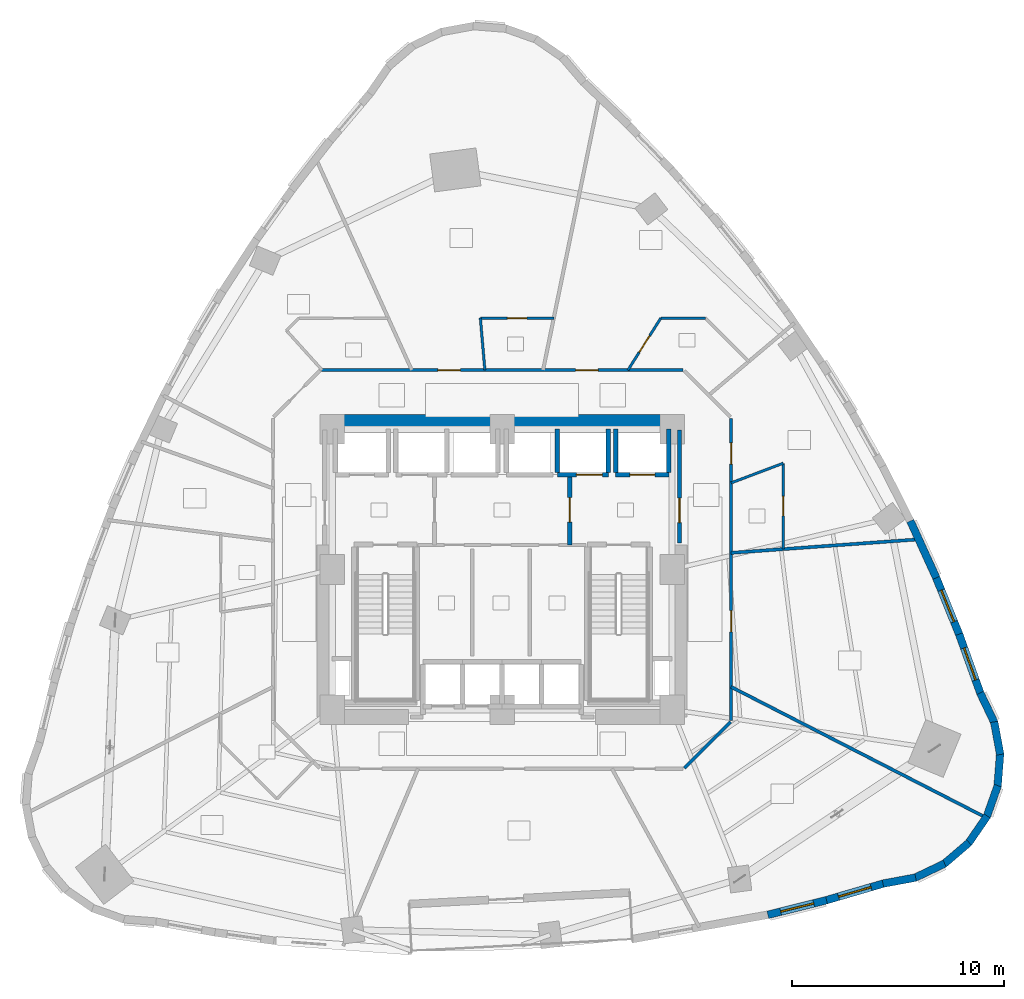
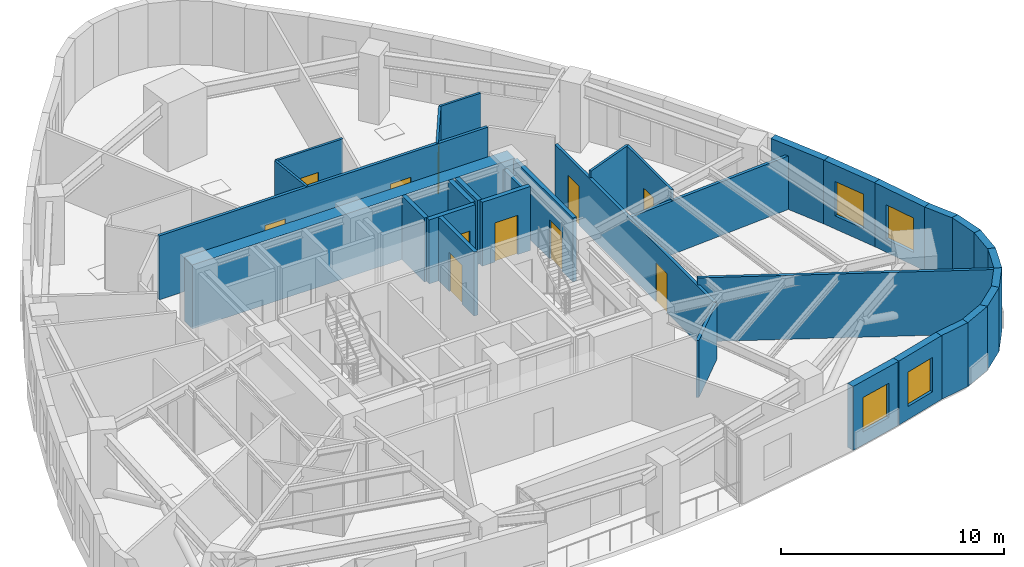
# One storey, part 7 of 11: 33 walls, 11 doors, 4 windows, 15 openings.
"""IFC4 building model written with IfcOpenShell, lengths in metres."""

from ifc_helpers import new_model, si_unit, direction, frame, frame_2d, origin, place, context, subcontext, project, spatial, rectangle, extrude, material, layer, layer_set, type_object, element, fill, save


model = new_model("IFC4")

# Units and contexts
model_context = context("Model", 3, precision=1e-05, world=origin(), true_north=direction((0.0, 1.0)))
body_context = subcontext(model_context, "Body", "Model", "MODEL_VIEW")
ifc_project = project(units=[si_unit("LENGTHUNIT", "METRE"), si_unit("AREAUNIT", "SQUARE_METRE"), si_unit("VOLUMEUNIT", "CUBIC_METRE"), si_unit("PLANEANGLEUNIT", "RADIAN"), si_unit("MASSUNIT", "GRAM", prefix="KILO")], contexts=[model_context])

# Site, building, storey
site_placement = place(None, origin())
site = spatial("IfcSite", under=ifc_project, at=site_placement, CompositionType="ELEMENT")
building_placement = place(site_placement, origin())
building = spatial("IfcBuilding", under=site, at=building_placement, Name="Ndelora Gate Hotel", CompositionType="ELEMENT")
storey_placement = place(building_placement, frame((0.0, 0.0, 49.25)))
storey = spatial("IfcBuildingStorey", under=building, at=storey_placement, Name="L11", CompositionType="ELEMENT", Elevation=49.25)

# Wall, opening, window
ifc_material_1 = material(Name="Clay Brick Masonry", Category="masonry")
ifc_layer_1 = layer(ifc_material_1, 0.360107421875)
ifc_layer_set_1 = layer_set([ifc_layer_1], Name="Clay Brick Masonry")
wall_type_1 = type_object("IfcWallType", Name="WL-BRICK-360", PredefinedType="SOLIDWALL", material=ifc_layer_set_1)
wall_1_placement = place(storey_placement, frame((15.269775390625, -15.569091796875, 0.0), z_axis=(0.0, 0.0, 1.0), x_axis=(-0.970177808132, -0.242394349375, 0.0)))
wall_1 = element("IfcWall", 1, at=wall_1_placement, inside=storey, type_object=wall_type_1, Name="L11 Tower Brick Pier-and-Spandrel Wall TWR-37", PredefinedType="SOLIDWALL", context=body_context, shape_type="SweptSolid", body=[
    extrude(rectangle(XDim=2.846435546875, YDim=0.360107421875, at=frame_2d((1.42333984375, 0.0))), origin(), (0.0, 0.0, 1.0), 3.5),
])
opening_1_placement = place(wall_1_placement, frame((0.623291015625, 0.0, 0.719970703125)))
opening_1 = element("IfcOpeningElement", 2, at=opening_1_placement, cuts=wall_1, Name="Opening W03", PredefinedType="OPENING", context=body_context, shape_type="SweptSolid", body=[
    extrude(rectangle(XDim=1.60009765625, YDim=1.8798828125, at=frame_2d((0.800048828125, 0.93994140625))), frame((0.0, 0.18994140625, 0.0), z_axis=(0.0, -1.0, 0.0), x_axis=(1.0, 0.0, 0.0)), (0.0, 0.0, 1.0), 0.380126953125),
])
ifc_material_2 = material(Name="Insulated Low-E Double Glazing in Bronze Aluminium Frame", Category="aluminium")
window_type_1 = type_object("IfcWindowType", Name="WN-CORN-2100", PartitioningType="SINGLE_PANEL", PredefinedType="WINDOW", material=ifc_material_2)
window_1_placement = place(opening_1_placement, origin())
window_1 = element("IfcWindow", 3, at=window_1_placement, inside=storey, type_object=window_type_1, Name="L11 Deep-Set Brick-Pier Window W03", OverallHeight=1.8798828125, OverallWidth=1.60009765625, PartitioningType="SINGLE_PANEL", PredefinedType="WINDOW", context=body_context, shape_type="SweptSolid", body=[
    extrude(rectangle(XDim=1.60009765625, YDim=1.8798828125, at=frame_2d((0.800048828125, 0.93994140625))), frame((0.0, 0.030029296875, 0.0), z_axis=(0.0, -1.0, 0.0), x_axis=(1.0, 0.0, 0.0)), (0.0, 0.0, 1.0), 0.06005859375),
])
fill(opening_1, window_1)

wall_2_placement = place(storey_placement, frame((17.9765625, -14.777587890625, 0.0), z_axis=(0.0, 0.0, 1.0), x_axis=(-0.959918981308, -0.280277629013, 0.0)))
wall_2 = element("IfcWall", 4, at=wall_2_placement, inside=storey, type_object=wall_type_1, Name="L11 Tower Brick Pier-and-Spandrel Wall TWR-38", PredefinedType="SOLIDWALL", context=body_context, shape_type="SweptSolid", body=[
    extrude(rectangle(XDim=2.8701171875, YDim=0.360107421875, at=frame_2d((1.43505859375, 0.0))), origin(), (0.0, 0.0, 1.0), 3.5),
])
opening_2_placement = place(wall_2_placement, frame((0.635009765625, 0.0, 0.719970703125)))
opening_2 = element("IfcOpeningElement", 5, at=opening_2_placement, cuts=wall_2, Name="Opening W01", PredefinedType="OPENING", context=body_context, shape_type="SweptSolid", body=[
    extrude(rectangle(XDim=1.60009765625, YDim=1.8798828125, at=frame_2d((0.800048828125, 0.93994140625))), frame((0.0, 0.18994140625, 0.0), z_axis=(0.0, -1.0, 0.0), x_axis=(1.0, 0.0, 0.0)), (0.0, 0.0, 1.0), 0.380126953125),
])
window_type_2 = type_object("IfcWindowType", Name="WN-DEEP-1600", PartitioningType="SINGLE_PANEL", PredefinedType="WINDOW", material=ifc_material_2)
window_2_placement = place(opening_2_placement, origin())
window_2 = element("IfcWindow", 6, at=window_2_placement, inside=storey, type_object=window_type_2, Name="L11 Deep-Set Brick-Pier Window W01", OverallHeight=1.8798828125, OverallWidth=1.60009765625, PartitioningType="SINGLE_PANEL", PredefinedType="WINDOW", context=body_context, shape_type="SweptSolid", body=[
    extrude(rectangle(XDim=1.60009765625, YDim=1.8798828125, at=frame_2d((0.800048828125, 0.93994140625))), frame((0.0, 0.030029296875, 0.0), z_axis=(0.0, -1.0, 0.0), x_axis=(1.0, 0.0, 0.0)), (0.0, 0.0, 1.0), 0.06005859375),
])
fill(opening_2, window_2)

# Walls
for number, where, z_axis, x_axis, name in (
    (7, (19.4658203125, -14.504150390625, 0.0), (0.0, 0.0, 1.0), (-0.983239538779, -0.182318428527, 0.0), "L11 Tower Brick Pier-and-Spandrel Wall TWR-39"),
    (8, (20.830322265625, -13.84619140625, 0.0), (0.0, 0.0, 1.0), (-0.902577552294, -0.430527307026, 0.0), "L11 Tower Brick Pier-and-Spandrel Wall TWR-40"),
    (9, (21.978271484375, -12.857421875, 0.0), (0.0, 0.0, 1.0), (-0.760489297029, -0.649350467086, 0.0), "L11 Tower Brick Pier-and-Spandrel Wall TWR-41"),
):
    element("IfcWall", number, at=place(storey_placement, frame(where, z_axis=z_axis, x_axis=x_axis)), inside=storey, type_object=wall_type_1, Name=name, PredefinedType="SOLIDWALL", context=body_context, shape_type="SweptSolid", body=[
        extrude(rectangle(XDim=1.56396484375, YDim=0.360107421875, at=frame_2d((0.781982421875, 0.0))), origin(), (0.0, 0.0, 1.0), 3.5),
    ])
for number, where, z_axis, x_axis, name in (
    (10, (22.8310546875, -11.60498046875, 0.0), (0.0, 0.0, 1.0), (-0.56642283125, -0.824114783412, 0.0), "L11 Tower Brick Pier-and-Spandrel Wall TWR-42"),
    (11, (23.33056640625, -10.1748046875, 0.0), (0.0, 0.0, 1.0), (-0.333685345648, -0.942684512496, 0.0), "L11 Tower Brick Pier-and-Spandrel Wall TWR-43"),
    (12, (23.443115234375, -8.6640625, 0.0), (0.0, 0.0, 1.0), (-0.078510627557, -0.99691327675, 0.0), "L11 Tower Brick Pier-and-Spandrel Wall TWR-44"),
):
    element("IfcWall", number, at=place(storey_placement, frame(where, z_axis=z_axis, x_axis=x_axis)), inside=storey, type_object=wall_type_1, Name=name, PredefinedType="SOLIDWALL", context=body_context, shape_type="SweptSolid", body=[
        extrude(rectangle(XDim=1.564208984375, YDim=0.360107421875, at=frame_2d((0.7822265625, 0.0))), origin(), (0.0, 0.0, 1.0), 3.5),
    ])
wall_3_placement = place(storey_placement, frame((23.160400390625, -7.17578125, 0.0), z_axis=(0.0, 0.0, 1.0), x_axis=(0.182318428527, -0.983239538779, 0.0)))
element("IfcWall", 13, at=wall_3_placement, inside=storey, type_object=wall_type_1, Name="L11 Tower Brick Pier-and-Spandrel Wall TWR-45", PredefinedType="SOLIDWALL", context=body_context, shape_type="SweptSolid", body=[
    extrude(rectangle(XDim=1.56396484375, YDim=0.360107421875, at=frame_2d((0.781982421875, 0.0))), origin(), (0.0, 0.0, 1.0), 3.5),
])
wall_4_placement = place(storey_placement, frame((22.50244140625, -5.81103515625, 0.0), z_axis=(0.0, 0.0, 1.0), x_axis=(0.430466656099, -0.902606480138, 0.0)))
element("IfcWall", 14, at=wall_4_placement, inside=storey, type_object=wall_type_1, Name="L11 Tower Brick Pier-and-Spandrel Wall TWR-46", PredefinedType="SOLIDWALL", context=body_context, shape_type="SweptSolid", body=[
    extrude(rectangle(XDim=1.564208984375, YDim=0.360107421875, at=frame_2d((0.7822265625, 0.0))), origin(), (0.0, 0.0, 1.0), 3.5),
])

# Wall, opening, window
wall_5_placement = place(storey_placement, frame((21.511474609375, -3.04638671875, 0.0), z_axis=(0.0, 0.0, 1.0), x_axis=(0.338236051909, -0.941061301504, 0.0)))
wall_5 = element("IfcWall", 15, at=wall_5_placement, inside=storey, type_object=wall_type_1, Name="L11 Tower Brick Pier-and-Spandrel Wall TWR-47", PredefinedType="SOLIDWALL", context=body_context, shape_type="SweptSolid", body=[
    extrude(rectangle(XDim=2.98681640625, YDim=0.360107421875, at=frame_2d((1.493408203125, 0.0))), origin(), (0.0, 0.0, 1.0), 3.5),
])
opening_3_placement = place(wall_5_placement, frame((0.693603515625, 0.0, 0.719970703125)))
opening_3 = element("IfcOpeningElement", 16, at=opening_3_placement, cuts=wall_5, Name="Opening W01", PredefinedType="OPENING", context=body_context, shape_type="SweptSolid", body=[
    extrude(rectangle(XDim=1.60009765625, YDim=1.8798828125, at=frame_2d((0.800048828125, 0.93994140625))), frame((0.0, 0.18994140625, 0.0), z_axis=(0.0, -1.0, 0.0), x_axis=(1.0, 0.0, 0.0)), (0.0, 0.0, 1.0), 0.380126953125),
])
window_3_placement = place(opening_3_placement, origin())
window_3 = element("IfcWindow", 17, at=window_3_placement, inside=storey, type_object=window_type_2, Name="L11 Deep-Set Brick-Pier Window W01", OverallHeight=1.8798828125, OverallWidth=1.60009765625, PartitioningType="SINGLE_PANEL", PredefinedType="WINDOW", context=body_context, shape_type="SweptSolid", body=[
    extrude(rectangle(XDim=1.60009765625, YDim=1.8798828125, at=frame_2d((0.800048828125, 0.93994140625))), frame((0.0, 0.030029296875, 0.0), z_axis=(0.0, -1.0, 0.0), x_axis=(1.0, 0.0, 0.0)), (0.0, 0.0, 1.0), 0.06005859375),
])
fill(opening_3, window_3)

wall_6_placement = place(storey_placement, frame((20.41455078125, -0.349365234375, 0.0), z_axis=(0.0, 0.0, 1.0), x_axis=(0.376416849552, -0.926450406322, 0.0)))
wall_6 = element("IfcWall", 18, at=wall_6_placement, inside=storey, type_object=wall_type_1, Name="L11 Tower Brick Pier-and-Spandrel Wall TWR-48", PredefinedType="SOLIDWALL", context=body_context, shape_type="SweptSolid", body=[
    extrude(rectangle(XDim=2.96142578125, YDim=0.360107421875, at=frame_2d((1.480712890625, 0.0))), origin(), (0.0, 0.0, 1.0), 3.5),
])
opening_4_placement = place(wall_6_placement, frame((0.6806640625, 0.0, 0.719970703125)))
opening_4 = element("IfcOpeningElement", 19, at=opening_4_placement, cuts=wall_6, Name="Opening W01", PredefinedType="OPENING", context=body_context, shape_type="SweptSolid", body=[
    extrude(rectangle(XDim=1.60009765625, YDim=1.8798828125, at=frame_2d((0.800048828125, 0.93994140625))), frame((0.0, 0.18994140625, 0.0), z_axis=(0.0, -1.0, 0.0), x_axis=(1.0, 0.0, 0.0)), (0.0, 0.0, 1.0), 0.380126953125),
])
window_4_placement = place(opening_4_placement, origin())
window_4 = element("IfcWindow", 20, at=window_4_placement, inside=storey, type_object=window_type_2, Name="L11 Deep-Set Brick-Pier Window W01", OverallHeight=1.8798828125, OverallWidth=1.60009765625, PartitioningType="SINGLE_PANEL", PredefinedType="WINDOW", context=body_context, shape_type="SweptSolid", body=[
    extrude(rectangle(XDim=1.60009765625, YDim=1.8798828125, at=frame_2d((0.800048828125, 0.93994140625))), frame((0.0, 0.030029296875, 0.0), z_axis=(0.0, -1.0, 0.0), x_axis=(1.0, 0.0, 0.0)), (0.0, 0.0, 1.0), 0.06005859375),
])
fill(opening_4, window_4)

# Walls
wall_7_placement = place(storey_placement, frame((19.215087890625, 2.281005859375, 0.0), z_axis=(0.0, 0.0, 1.0), x_axis=(0.414578361646, -0.910013616412, 0.0)))
element("IfcWall", 21, at=wall_7_placement, inside=storey, type_object=wall_type_1, Name="L11 Tower Brick Pier-and-Spandrel Wall TWR-49", PredefinedType="SOLIDWALL", context=body_context, shape_type="SweptSolid", body=[
    extrude(rectangle(XDim=2.94091796875, YDim=0.360107421875, at=frame_2d((1.470458984375, 0.0))), origin(), (0.0, 0.0, 1.0), 3.5),
])
ifc_material_3 = material(Name="Concrete C60/75", Category="concrete")
ifc_layer_2 = layer(ifc_material_3, 0.699951171875)
ifc_layer_set_2 = layer_set([ifc_layer_2], Name="Concrete C60/75")
wall_type_2 = type_object("IfcWallType", Name="WL-CORE-700", PredefinedType="SHEAR", material=ifc_layer_set_2)
wall_8_placement = place(storey_placement, frame((-8.35009765625, 6.949951171875, 0.0), z_axis=(0.0, 0.0, 1.0), x_axis=(1.0, 0.0, 0.0)))
element("IfcWall", 22, at=wall_8_placement, inside=storey, type_object=wall_type_2, Name="L11 Core Shear Wall N", PredefinedType="SHEAR", context=body_context, shape_type="SweptSolid", body=[
    extrude(rectangle(XDim=16.7001953125, YDim=0.699951171875, at=frame_2d((8.35009765625, 0.0))), origin(), (0.0, 0.0, 1.0), 3.5),
])

# Wall, opening, door
ifc_material_4 = material(Name="Concrete C40/50", Category="concrete")
ifc_layer_3 = layer(ifc_material_4, 0.199951171875)
ifc_layer_set_3 = layer_set([ifc_layer_3], Name="Concrete C40/50")
wall_type_3 = type_object("IfcWallType", Name="WL-FIRE-200", PredefinedType="PARTITIONING", material=ifc_layer_set_3)
wall_9_placement = place(storey_placement, frame((3.179931640625, 1.14990234375, 0.0), z_axis=(0.0, 0.0, 1.0), x_axis=(0.0, 1.0, 0.0)))
wall_9 = element("IfcWall", 23, at=wall_9_placement, inside=storey, type_object=wall_type_3, Name="L11 Interior Wall IW-2", PredefinedType="PARTITIONING", context=body_context, shape_type="SweptSolid", body=[
    extrude(rectangle(XDim=3.300048828125, YDim=0.199951171875, at=frame_2d((1.64990234375, 0.0))), origin(), (0.0, 0.0, 1.0), 3.5),
])
opening_5_placement = place(wall_9_placement, frame((1.080078125, 0.0, 0.0)))
opening_5 = element("IfcOpeningElement", 24, at=opening_5_placement, cuts=wall_9, Name="Opening FD1", PredefinedType="OPENING", context=body_context, shape_type="SweptSolid", body=[
    extrude(rectangle(XDim=1.14990234375, YDim=2.14990234375, at=frame_2d((0.574951171875, 1.074951171875))), frame((0.0, 0.10986328125, 0.0), z_axis=(0.0, -1.0, 0.0), x_axis=(1.0, 0.0, 0.0)), (0.0, 0.0, 1.0), 0.219970703125),
])
ifc_material_5 = material(Name="Fire-Rated Timber-Veneer Steel Core", Category="steel")
door_type_1 = type_object("IfcDoorType", Name="DR-FD60", OperationType="SINGLE_SWING_LEFT", PredefinedType="DOOR", material=ifc_material_5)
door_1_placement = place(opening_5_placement, origin())
door_1 = element("IfcDoor", 25, at=door_1_placement, inside=storey, type_object=door_type_1, Name="L11 Firefighting Lobby East Door", OperationType="SINGLE_SWING_LEFT", OverallHeight=2.14990234375, OverallWidth=1.14990234375, PredefinedType="DOOR", context=body_context, shape_type="SweptSolid", body=[
    extrude(rectangle(XDim=1.14990234375, YDim=2.14990234375, at=frame_2d((0.574951171875, 1.074951171875))), frame((0.0, 0.02490234375, 0.0), z_axis=(0.0, -1.0, 0.0), x_axis=(1.0, 0.0, 0.0)), (0.0, 0.0, 1.0), 0.050048828125),
])
fill(opening_5, door_1)

wall_10_placement = place(storey_placement, frame((8.35009765625, 1.25, 0.0), z_axis=(0.0, 0.0, 1.0), x_axis=(0.0, 1.0, 0.0)))
wall_10 = element("IfcWall", 26, at=wall_10_placement, inside=storey, type_object=wall_type_3, Name="L11 Interior Wall IW-2", PredefinedType="PARTITIONING", context=body_context, shape_type="SweptSolid", body=[
    extrude(rectangle(XDim=5.300048828125, YDim=0.199951171875, at=frame_2d((2.64990234375, 0.0))), origin(), (0.0, 0.0, 1.0), 3.5),
])
opening_6_placement = place(wall_10_placement, frame((0.949951171875, 0.0, 0.0)))
opening_6 = element("IfcOpeningElement", 27, at=opening_6_placement, cuts=wall_10, Name="Opening FD1", PredefinedType="OPENING", context=body_context, shape_type="SweptSolid", body=[
    extrude(rectangle(XDim=1.14990234375, YDim=2.14990234375, at=frame_2d((0.574951171875, 1.074951171875))), frame((0.0, 0.10986328125, 0.0), z_axis=(0.0, -1.0, 0.0), x_axis=(1.0, 0.0, 0.0)), (0.0, 0.0, 1.0), 0.219970703125),
])
door_2_placement = place(opening_6_placement, origin())
door_2 = element("IfcDoor", 28, at=door_2_placement, inside=storey, type_object=door_type_1, Name="L11 Firefighting Lobby East Corridor Door", OperationType="SINGLE_SWING_RIGHT", OverallHeight=2.14990234375, OverallWidth=1.14990234375, PredefinedType="DOOR", context=body_context, shape_type="SweptSolid", body=[
    extrude(rectangle(XDim=1.14990234375, YDim=2.14990234375, at=frame_2d((0.574951171875, 1.074951171875))), frame((0.0, 0.02490234375, 0.0), z_axis=(0.0, -1.0, 0.0), x_axis=(1.0, 0.0, 0.0)), (0.0, 0.0, 1.0), 0.050048828125),
])
fill(opening_6, door_2)

# Wall
ifc_material_6 = material(Name="Fire-Rated Gypsum Stud Partition", Category="gypsum")
ifc_layer_4 = layer(ifc_material_6, 0.14990234375)
ifc_layer_set_4 = layer_set([ifc_layer_4], Name="Fire-Rated Gypsum Stud Partition")
wall_type_4 = type_object("IfcWallType", Name="WL-PART-150", PredefinedType="PARTITIONING", material=ifc_layer_set_4)
wall_11_placement = place(storey_placement, frame((10.751708984375, -7.17822265625, 0.0), z_axis=(0.0, 0.0, 1.0), x_axis=(-0.707067066127, -0.707146494016, 0.0)))
element("IfcWall", 29, at=wall_11_placement, inside=storey, type_object=wall_type_4, Name="L11 Interior Wall IW-5", PredefinedType="PARTITIONING", context=body_context, shape_type="SweptSolid", body=[
    extrude(rectangle(XDim=3.07373046875, YDim=0.14990234375, at=frame_2d((1.536865234375, 0.0))), origin(), (0.0, 0.0, 1.0), 3.1201171875),
])

# Wall, openings, doors
wall_12_placement = place(storey_placement, frame((10.780029296875, 7.110107421875, 0.0), z_axis=(0.0, 0.0, 1.0), x_axis=(0.0, -1.0, 0.0)))
wall_12 = element("IfcWall", 30, at=wall_12_placement, inside=storey, type_object=wall_type_4, Name="L11 Interior Wall IW-5", PredefinedType="PARTITIONING", context=body_context, shape_type="SweptSolid", body=[
    extrude(rectangle(XDim=14.22021484375, YDim=0.14990234375, at=frame_2d((7.110107421875, 0.0))), origin(), (0.0, 0.0, 1.0), 3.1201171875),
])
opening_7_placement = place(wall_12_placement, frame((1.1591796875, 0.0, 0.0)))
opening_7 = element("IfcOpeningElement", 31, at=opening_7_placement, cuts=wall_12, Name="Opening D01", PredefinedType="OPENING", context=body_context, shape_type="SweptSolid", body=[
    extrude(rectangle(XDim=1.0, YDim=2.14990234375, at=frame_2d((0.5, 1.074951171875))), frame((0.0, 0.0849609375, 0.0), z_axis=(0.0, -1.0, 0.0), x_axis=(1.0, 0.0, 0.0)), (0.0, 0.0, 1.0), 0.169921875),
])
opening_8_placement = place(wall_12_placement, frame((9.045654296875, 0.0, 0.0)))
opening_8 = element("IfcOpeningElement", 32, at=opening_8_placement, cuts=wall_12, Name="Opening D01", PredefinedType="OPENING", context=body_context, shape_type="SweptSolid", body=[
    extrude(rectangle(XDim=1.0, YDim=2.14990234375, at=frame_2d((0.5, 1.074951171875))), frame((0.0, 0.0849609375, 0.0), z_axis=(0.0, -1.0, 0.0), x_axis=(1.0, 0.0, 0.0)), (0.0, 0.0, 1.0), 0.169921875),
])
ifc_material_7 = material(Name="Acoustic Hardwood Guest Entrance Door", Category="wood")
door_type_2 = type_object("IfcDoorType", Name="DR-COR-1000", OperationType="SINGLE_SWING_LEFT", PredefinedType="DOOR", material=ifc_material_7)
door_3_placement = place(opening_7_placement, origin())
door_3 = element("IfcDoor", 33, at=door_3_placement, inside=storey, type_object=door_type_2, Name="L11 Twin Guest Room 1403 Entrance Door", OperationType="SINGLE_SWING_RIGHT", OverallHeight=2.14990234375, OverallWidth=1.0, PredefinedType="DOOR", context=body_context, shape_type="SweptSolid", body=[
    extrude(rectangle(XDim=1.0, YDim=2.14990234375, at=frame_2d((0.5, 1.074951171875))), frame((0.0, 0.02490234375, 0.0), z_axis=(0.0, -1.0, 0.0), x_axis=(1.0, 0.0, 0.0)), (0.0, 0.0, 1.0), 0.050048828125),
])
fill(opening_7, door_3)
door_4_placement = place(opening_8_placement, origin())
door_4 = element("IfcDoor", 34, at=door_4_placement, inside=storey, type_object=door_type_2, Name="L11 Reading Library Room Entrance Door", OperationType="SINGLE_SWING_RIGHT", OverallHeight=2.14990234375, OverallWidth=1.0, PredefinedType="DOOR", context=body_context, shape_type="SweptSolid", body=[
    extrude(rectangle(XDim=1.0, YDim=2.14990234375, at=frame_2d((0.5, 1.074951171875))), frame((0.0, 0.02490234375, 0.0), z_axis=(0.0, -1.0, 0.0), x_axis=(1.0, 0.0, 0.0)), (0.0, 0.0, 1.0), 0.050048828125),
])
fill(opening_8, door_4)

wall_13_placement = place(storey_placement, frame((-8.510009765625, 9.3798828125, 0.0), z_axis=(0.0, 0.0, 1.0), x_axis=(1.0, 0.0, 0.0)))
wall_13 = element("IfcWall", 35, at=wall_13_placement, inside=storey, type_object=wall_type_4, Name="L11 Interior Wall IW-5", PredefinedType="PARTITIONING", context=body_context, shape_type="SweptSolid", body=[
    extrude(rectangle(XDim=17.02001953125, YDim=0.14990234375, at=frame_2d((8.510009765625, 0.0))), origin(), (0.0, 0.0, 1.0), 3.5),
])
opening_9_placement = place(wall_13_placement, frame((11.971435546875, 0.0, 0.0)))
opening_9 = element("IfcOpeningElement", 36, at=opening_9_placement, cuts=wall_13, Name="Opening D07", PredefinedType="OPENING", context=body_context, shape_type="SweptSolid", body=[
    extrude(rectangle(XDim=1.06005859375, YDim=2.14990234375, at=frame_2d((0.530029296875, 1.074951171875))), frame((0.0, 0.0849609375, 0.0), z_axis=(0.0, -1.0, 0.0), x_axis=(1.0, 0.0, 0.0)), (0.0, 0.0, 1.0), 0.169921875),
])
opening_10_placement = place(wall_13_placement, frame((5.49169921875, 0.0, 0.0)))
opening_10 = element("IfcOpeningElement", 37, at=opening_10_placement, cuts=wall_13, Name="Opening D07", PredefinedType="OPENING", context=body_context, shape_type="SweptSolid", body=[
    extrude(rectangle(XDim=1.06005859375, YDim=2.14990234375, at=frame_2d((0.530029296875, 1.074951171875))), frame((0.0, 0.0849609375, 0.0), z_axis=(0.0, -1.0, 0.0), x_axis=(1.0, 0.0, 0.0)), (0.0, 0.0, 1.0), 0.169921875),
])
ifc_material_8 = material(Name="Diplomatic Suite Acoustic Entrance Door", Category="wood")
door_type_3 = type_object("IfcDoorType", Name="DR-SUITE-1060", OperationType="SINGLE_SWING_LEFT", PredefinedType="DOOR", material=ifc_material_8)
door_5_placement = place(opening_9_placement, origin())
door_5 = element("IfcDoor", 38, at=door_5_placement, inside=storey, type_object=door_type_3, Name="L11 Corner Junior Suite 1404 Entrance Door", OperationType="SINGLE_SWING_RIGHT", OverallHeight=2.14990234375, OverallWidth=1.06005859375, PredefinedType="DOOR", context=body_context, shape_type="SweptSolid", body=[
    extrude(rectangle(XDim=1.06005859375, YDim=2.14990234375, at=frame_2d((0.530029296875, 1.074951171875))), frame((0.0, 0.02490234375, 0.0), z_axis=(0.0, -1.0, 0.0), x_axis=(1.0, 0.0, 0.0)), (0.0, 0.0, 1.0), 0.050048828125),
])
fill(opening_9, door_5)
door_6_placement = place(opening_10_placement, origin())
door_6 = element("IfcDoor", 39, at=door_6_placement, inside=storey, type_object=door_type_3, Name="L11 Deluxe King Junior Suite 1405 Entrance Door", OperationType="SINGLE_SWING_RIGHT", OverallHeight=2.14990234375, OverallWidth=1.06005859375, PredefinedType="DOOR", context=body_context, shape_type="SweptSolid", body=[
    extrude(rectangle(XDim=1.06005859375, YDim=2.14990234375, at=frame_2d((0.530029296875, 1.074951171875))), frame((0.0, 0.02490234375, 0.0), z_axis=(0.0, -1.0, 0.0), x_axis=(1.0, 0.0, 0.0)), (0.0, 0.0, 1.0), 0.050048828125),
])
fill(opening_10, door_6)

# Walls
wall_14_placement = place(storey_placement, frame((10.780029296875, -5.529541015625, 0.0), z_axis=(0.0, 0.0, 1.0), x_axis=(0.889773346048, -0.456402665048, 0.0)))
element("IfcWall", 40, at=wall_14_placement, inside=storey, type_object=wall_type_4, Name="L11 Interior Wall IW-5", PredefinedType="PARTITIONING", context=body_context, shape_type="SweptSolid", body=[
    extrude(rectangle(XDim=13.4833984375, YDim=0.14990234375, at=frame_2d((6.74169921875, 0.0))), origin(), (0.0, 0.0, 1.0), 3.5),
])
wall_15_placement = place(storey_placement, frame((10.780029296875, 0.77734375, 0.0), z_axis=(0.0, 0.0, 1.0), x_axis=(0.997408338359, 0.071948638431, 0.0)))
element("IfcWall", 41, at=wall_15_placement, inside=storey, type_object=wall_type_4, Name="L11 Interior Wall IW-5", PredefinedType="PARTITIONING", context=body_context, shape_type="SweptSolid", body=[
    extrude(rectangle(XDim=8.85302734375, YDim=0.14990234375, at=frame_2d((4.426513671875, 0.0))), origin(), (0.0, 0.0, 1.0), 2.929931640625),
])

# Wall, opening, door
ifc_layer_5 = layer(ifc_material_4, 0.219970703125)
ifc_layer_set_5 = layer_set([ifc_layer_5], Name="Concrete C40/50")
wall_type_5 = type_object("IfcWallType", Name="WL-SHAFT-220", PredefinedType="PARTITIONING", material=ifc_layer_set_5)
wall_16_placement = place(storey_placement, frame((5.35009765625, 4.449951171875, 0.0), z_axis=(0.0, 0.0, 1.0), x_axis=(1.0, 0.0, 0.0)))
wall_16 = element("IfcWall", 42, at=wall_16_placement, inside=storey, type_object=wall_type_5, Name="L11 Interior Wall IW-1", PredefinedType="PARTITIONING", context=body_context, shape_type="SweptSolid", body=[
    extrude(rectangle(XDim=2.5, YDim=0.219970703125, at=frame_2d((1.25, 0.0))), origin(), (0.0, 0.0, 1.0), 3.5),
])
opening_11_placement = place(wall_16_placement, frame((0.659912109375, 0.0, 0.0)))
opening_11 = element("IfcOpeningElement", 43, at=opening_11_placement, cuts=wall_16, Name="Opening LD5", PredefinedType="OPENING", context=body_context, shape_type="SweptSolid", body=[
    extrude(rectangle(XDim=1.179931640625, YDim=2.14990234375, at=frame_2d((0.58984375, 1.074951171875))), frame((0.0, 0.1201171875, 0.0), z_axis=(0.0, -1.0, 0.0), x_axis=(1.0, 0.0, 0.0)), (0.0, 0.0, 1.0), 0.239990234375),
])
ifc_material_9 = material(Name="Firefighting Lift Stainless Sliding Landing Door", Category="metal")
door_type_4 = type_object("IfcDoorType", Name="DR-LD5", OperationType="DOUBLE_DOOR_SLIDING", PredefinedType="DOOR", material=ifc_material_9)
door_7_placement = place(opening_11_placement, origin())
door_7 = element("IfcDoor", 44, at=door_7_placement, inside=storey, type_object=door_type_4, Name="L11 Lift Landing Sliding Door FFL2", OperationType="DOUBLE_DOOR_SLIDING", OverallHeight=2.14990234375, OverallWidth=1.179931640625, PredefinedType="DOOR", context=body_context, shape_type="SweptSolid", body=[
    extrude(rectangle(XDim=1.179931640625, YDim=2.14990234375, at=frame_2d((0.58984375, 1.074951171875))), frame((0.0, 0.02490234375, 0.0), z_axis=(0.0, -1.0, 0.0), x_axis=(1.0, 0.0, 0.0)), (0.0, 0.0, 1.0), 0.050048828125),
])
fill(opening_11, door_7)

# Walls
wall_17_placement = place(storey_placement, frame((5.35009765625, 4.570068359375, 0.0), z_axis=(0.0, 0.0, 1.0), x_axis=(0.0, 1.0, 0.0)))
element("IfcWall", 45, at=wall_17_placement, inside=storey, type_object=wall_type_5, Name="L11 Interior Wall IW-1", PredefinedType="PARTITIONING", context=body_context, shape_type="SweptSolid", body=[
    extrude(rectangle(XDim=2.030029296875, YDim=0.219970703125, at=frame_2d((1.01513671875, 0.0))), origin(), (0.0, 0.0, 1.0), 3.5),
])
wall_18_placement = place(storey_placement, frame((7.85009765625, 4.570068359375, 0.0), z_axis=(0.0, 0.0, 1.0), x_axis=(0.0, 1.0, 0.0)))
element("IfcWall", 46, at=wall_18_placement, inside=storey, type_object=wall_type_5, Name="L11 Interior Wall IW-1", PredefinedType="PARTITIONING", context=body_context, shape_type="SweptSolid", body=[
    extrude(rectangle(XDim=2.030029296875, YDim=0.219970703125, at=frame_2d((1.01513671875, 0.0))), origin(), (0.0, 0.0, 1.0), 3.080078125),
])

# Wall, opening, door
wall_19_placement = place(storey_placement, frame((2.60009765625, 4.449951171875, 0.0), z_axis=(0.0, 0.0, 1.0), x_axis=(1.0, 0.0, 0.0)))
wall_19 = element("IfcWall", 47, at=wall_19_placement, inside=storey, type_object=wall_type_5, Name="L11 Interior Wall IW-1", PredefinedType="PARTITIONING", context=body_context, shape_type="SweptSolid", body=[
    extrude(rectangle(XDim=2.39990234375, YDim=0.219970703125, at=frame_2d((1.199951171875, 0.0))), origin(), (0.0, 0.0, 1.0), 3.5),
])
opening_12_placement = place(wall_19_placement, frame((0.89990234375, 0.0, 0.0)))
opening_12 = element("IfcOpeningElement", 48, at=opening_12_placement, cuts=wall_19, Name="Opening LD6", PredefinedType="OPENING", context=body_context, shape_type="SweptSolid", body=[
    extrude(rectangle(XDim=1.219970703125, YDim=2.14990234375, at=frame_2d((0.60986328125, 1.074951171875))), frame((0.0, 0.1201171875, 0.0), z_axis=(0.0, -1.0, 0.0), x_axis=(1.0, 0.0, 0.0)), (0.0, 0.0, 1.0), 0.239990234375),
])
ifc_material_10 = material(Name="Heavy-Duty Service Lift Sliding Landing Door", Category="wood")
door_type_5 = type_object("IfcDoorType", Name="DR-LD6", OperationType="DOUBLE_DOOR_SLIDING", PredefinedType="DOOR", material=ifc_material_10)
door_8_placement = place(opening_12_placement, origin())
door_8 = element("IfcDoor", 49, at=door_8_placement, inside=storey, type_object=door_type_5, Name="L11 Lift Landing Sliding Door SVL2", OperationType="DOUBLE_DOOR_SLIDING", OverallHeight=2.14990234375, OverallWidth=1.219970703125, PredefinedType="DOOR", context=body_context, shape_type="SweptSolid", body=[
    extrude(rectangle(XDim=1.219970703125, YDim=2.14990234375, at=frame_2d((0.60986328125, 1.074951171875))), frame((0.0, 0.02490234375, 0.0), z_axis=(0.0, -1.0, 0.0), x_axis=(1.0, 0.0, 0.0)), (0.0, 0.0, 1.0), 0.050048828125),
])
fill(opening_12, door_8)

# Walls
for number, where, z_axis, x_axis, name in (
    (50, (2.60009765625, 4.570068359375, 0.0), (0.0, 0.0, 1.0), (0.0, 1.0, 0.0), "L11 Interior Wall IW-1"),
    (51, (5.0, 4.570068359375, 0.0), (0.0, 0.0, 1.0), (0.0, 1.0, 0.0), "L11 Interior Wall IW-1"),
):
    element("IfcWall", number, at=place(storey_placement, frame(where, z_axis=z_axis, x_axis=x_axis)), inside=storey, type_object=wall_type_5, Name=name, PredefinedType="PARTITIONING", context=body_context, shape_type="SweptSolid", body=[
        extrude(rectangle(XDim=2.030029296875, YDim=0.219970703125, at=frame_2d((1.01513671875, 0.0))), origin(), (0.0, 0.0, 1.0), 3.5),
    ])
ifc_material_11 = material(Name="Moisture-Resistant Bathroom Tile Partition", Category="gypsum")
ifc_layer_6 = layer(ifc_material_11, 0.1201171875)
ifc_layer_set_6 = layer_set([ifc_layer_6], Name="Moisture-Resistant Bathroom Tile Partition")
wall_type_6 = type_object("IfcWallType", Name="WL-WET-120", PredefinedType="PARTITIONING", material=ifc_layer_set_6)
wall_20_placement = place(storey_placement, frame((10.780029296875, 4.0703125, 0.0), z_axis=(0.0, 0.0, 1.0), x_axis=(0.935564526292, 0.353155797269, 0.0)))
element("IfcWall", 52, at=wall_20_placement, inside=storey, type_object=wall_type_6, Name="L11 Interior Wall IW-7", PredefinedType="PARTITIONING", context=body_context, shape_type="SweptSolid", body=[
    extrude(rectangle(XDim=2.61865234375, YDim=0.1201171875, at=frame_2d((1.309326171875, 0.0))), origin(), (0.0, 0.0, 1.0), 3.5),
])

# Wall, opening, door
wall_21_placement = place(storey_placement, frame((13.22998046875, 4.9951171875, 0.0), z_axis=(0.0, 0.0, 1.0), x_axis=(0.0, -1.0, 0.0)))
wall_21 = element("IfcWall", 53, at=wall_21_placement, inside=storey, type_object=wall_type_6, Name="L11 Interior Wall IW-7", PredefinedType="PARTITIONING", context=body_context, shape_type="SweptSolid", body=[
    extrude(rectangle(XDim=4.041015625, YDim=0.1201171875, at=frame_2d((2.0205078125, 0.0))), origin(), (0.0, 0.0, 1.0), 3.5),
])
opening_13_placement = place(wall_21_placement, frame((1.560546875, 0.0, 0.0)))
opening_13 = element("IfcOpeningElement", 54, at=opening_13_placement, cuts=wall_21, Name="Opening D03", PredefinedType="OPENING", context=body_context, shape_type="SweptSolid", body=[
    extrude(rectangle(XDim=0.919921875, YDim=2.10009765625, at=frame_2d((0.4599609375, 1.050048828125))), frame((0.0, 0.070068359375, 0.0), z_axis=(0.0, -1.0, 0.0), x_axis=(1.0, 0.0, 0.0)), (0.0, 0.0, 1.0), 0.14013671875),
])
ifc_material_12 = material(Name="Moisture-Resistant Hardwood En-Suite Door", Category="wood")
door_type_6 = type_object("IfcDoorType", Name="DR-BATH-920", OperationType="SINGLE_SWING_LEFT", PredefinedType="DOOR", material=ifc_material_12)
door_9_placement = place(opening_13_placement, origin())
door_9 = element("IfcDoor", 55, at=door_9_placement, inside=storey, type_object=door_type_6, Name="L11 En-suite Bathroom 1403 Door", OperationType="SINGLE_SWING_RIGHT", OverallHeight=2.10009765625, OverallWidth=0.919921875, PredefinedType="DOOR", context=body_context, shape_type="SweptSolid", body=[
    extrude(rectangle(XDim=0.919921875, YDim=2.10009765625, at=frame_2d((0.4599609375, 1.050048828125))), frame((0.0, 0.02490234375, 0.0), z_axis=(0.0, -1.0, 0.0), x_axis=(1.0, 0.0, 0.0)), (0.0, 0.0, 1.0), 0.050048828125),
])
fill(opening_13, door_9)

wall_22_placement = place(storey_placement, frame((5.92529296875, 9.3798828125, 0.0), z_axis=(0.0, 0.0, 1.0), x_axis=(0.534021517206, 0.845470886052, 0.0)))
wall_22 = element("IfcWall", 56, at=wall_22_placement, inside=storey, type_object=wall_type_6, Name="L11 Interior Wall IW-7", PredefinedType="PARTITIONING", context=body_context, shape_type="SweptSolid", body=[
    extrude(rectangle(XDim=2.89794921875, YDim=0.1201171875, at=frame_2d((1.448974609375, 0.0))), origin(), (0.0, 0.0, 1.0), 3.5),
])
opening_14_placement = place(wall_22_placement, frame((0.989013671875, 0.0, 0.0)))
opening_14 = element("IfcOpeningElement", 57, at=opening_14_placement, cuts=wall_22, Name="Opening D03", PredefinedType="OPENING", context=body_context, shape_type="SweptSolid", body=[
    extrude(rectangle(XDim=0.919921875, YDim=2.10009765625, at=frame_2d((0.4599609375, 1.050048828125))), frame((0.0, 0.070068359375, 0.0), z_axis=(0.0, -1.0, 0.0), x_axis=(1.0, 0.0, 0.0)), (0.0, 0.0, 1.0), 0.14013671875),
])
door_10_placement = place(opening_14_placement, origin())
door_10 = element("IfcDoor", 58, at=door_10_placement, inside=storey, type_object=door_type_6, Name="L11 En-suite Bathroom 1404 Door", OperationType="SINGLE_SWING_LEFT", OverallHeight=2.10009765625, OverallWidth=0.919921875, PredefinedType="DOOR", context=body_context, shape_type="SweptSolid", body=[
    extrude(rectangle(XDim=0.919921875, YDim=2.10009765625, at=frame_2d((0.4599609375, 1.050048828125))), frame((0.0, 0.02490234375, 0.0), z_axis=(0.0, -1.0, 0.0), x_axis=(1.0, 0.0, 0.0)), (0.0, 0.0, 1.0), 0.050048828125),
])
fill(opening_14, door_10)

# Walls
wall_23_placement = place(storey_placement, frame((7.472900390625, 11.830078125, 0.0), z_axis=(0.0, 0.0, 1.0), x_axis=(1.0, 0.0, 0.0)))
element("IfcWall", 59, at=wall_23_placement, inside=storey, type_object=wall_type_6, Name="L11 Interior Wall IW-7", PredefinedType="PARTITIONING", context=body_context, shape_type="SweptSolid", body=[
    extrude(rectangle(XDim=2.091796875, YDim=0.1201171875, at=frame_2d((1.0458984375, 0.0))), origin(), (0.0, 0.0, 1.0), 3.5),
])
wall_24_placement = place(storey_placement, frame((-0.809814453125, 9.3798828125, 0.0), z_axis=(0.0, 0.0, 1.0), x_axis=(-0.086068429702, 0.996289227789, 0.0)))
element("IfcWall", 60, at=wall_24_placement, inside=storey, type_object=wall_type_6, Name="L11 Interior Wall IW-7", PredefinedType="PARTITIONING", context=body_context, shape_type="SweptSolid", body=[
    extrude(rectangle(XDim=2.459228515625, YDim=0.1201171875, at=frame_2d((1.2294921875, 0.0))), origin(), (0.0, 0.0, 1.0), 3.5),
])

# Wall, opening, door
wall_25_placement = place(storey_placement, frame((-1.021484375, 11.830078125, 0.0), z_axis=(0.0, 0.0, 1.0), x_axis=(1.0, 0.0, 0.0)))
wall_25 = element("IfcWall", 61, at=wall_25_placement, inside=storey, type_object=wall_type_6, Name="L11 Interior Wall IW-7", PredefinedType="PARTITIONING", context=body_context, shape_type="SweptSolid", body=[
    extrude(rectangle(XDim=3.455078125, YDim=0.1201171875, at=frame_2d((1.7275390625, 0.0))), origin(), (0.0, 0.0, 1.0), 3.5),
])
opening_15_placement = place(wall_25_placement, frame((1.267578125, 0.0, 0.0)))
opening_15 = element("IfcOpeningElement", 62, at=opening_15_placement, cuts=wall_25, Name="Opening D03", PredefinedType="OPENING", context=body_context, shape_type="SweptSolid", body=[
    extrude(rectangle(XDim=0.919921875, YDim=2.10009765625, at=frame_2d((0.4599609375, 1.050048828125))), frame((0.0, 0.070068359375, 0.0), z_axis=(0.0, -1.0, 0.0), x_axis=(1.0, 0.0, 0.0)), (0.0, 0.0, 1.0), 0.14013671875),
])
door_11_placement = place(opening_15_placement, origin())
door_11 = element("IfcDoor", 63, at=door_11_placement, inside=storey, type_object=door_type_6, Name="L11 En-suite Bathroom 1405 Door", OperationType="SINGLE_SWING_RIGHT", OverallHeight=2.10009765625, OverallWidth=0.919921875, PredefinedType="DOOR", context=body_context, shape_type="SweptSolid", body=[
    extrude(rectangle(XDim=0.919921875, YDim=2.10009765625, at=frame_2d((0.4599609375, 1.050048828125))), frame((0.0, 0.02490234375, 0.0), z_axis=(0.0, -1.0, 0.0), x_axis=(1.0, 0.0, 0.0)), (0.0, 0.0, 1.0), 0.050048828125),
])
fill(opening_15, door_11)

save(model, "model.ifc")
